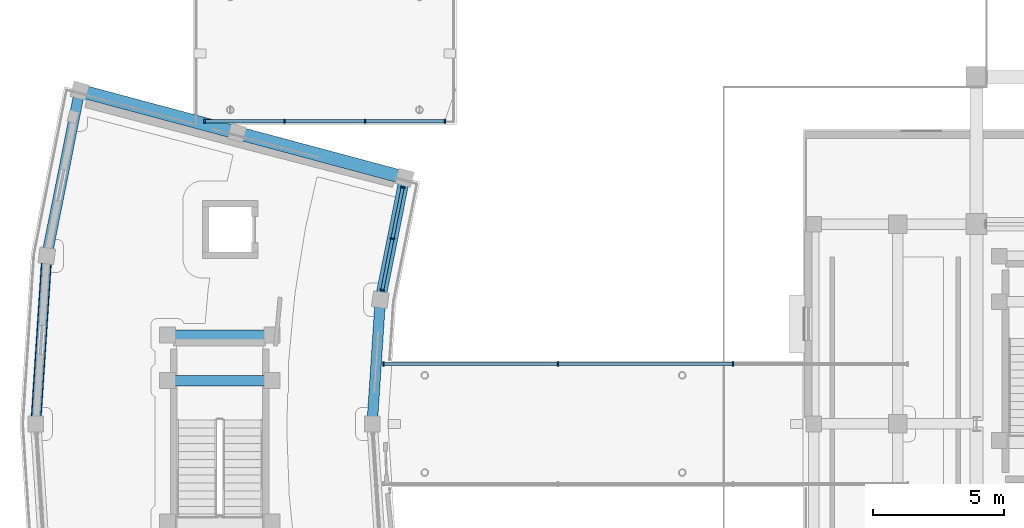
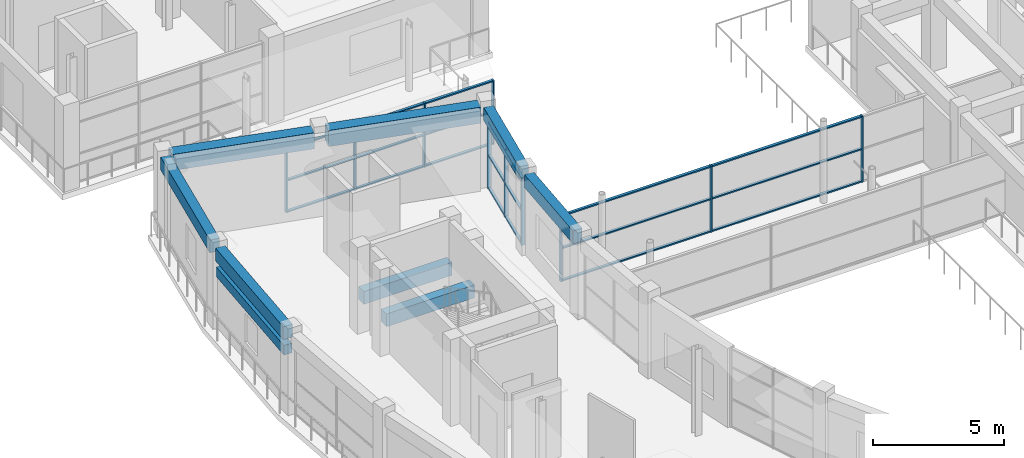
# One storey, part 19 of 72: 31 members, 9 beams, 3 elements without a shape of their own.
"""IFC4 building model written with IfcOpenShell, lengths in metres."""

from ifc_helpers import new_model, si_unit, direction, frame, origin, origin_2d, place, context, subcontext, project, spatial, rectangle, extrude, material, material_profile, profile_set, type_object, element, aggregate, save


model = new_model("IFC4")

# Units and contexts
model_context = context("Model", 3, precision=1e-05, world=origin(), true_north=direction((0.0, 1.0)))
body_context = subcontext(model_context, "Body", "Model", "MODEL_VIEW")
ifc_project = project(units=[si_unit("LENGTHUNIT", "METRE"), si_unit("AREAUNIT", "SQUARE_METRE"), si_unit("VOLUMEUNIT", "CUBIC_METRE"), si_unit("PLANEANGLEUNIT", "RADIAN"), si_unit("MASSUNIT", "GRAM", prefix="KILO")], contexts=[model_context])

# Site, building, storey
site_placement = place(None, origin())
site = spatial("IfcSite", under=ifc_project, at=site_placement, CompositionType="ELEMENT")
building_placement = place(site_placement, origin())
building = spatial("IfcBuilding", under=site, at=building_placement, Name="Saryqyr Civic Hall", CompositionType="ELEMENT")
storey_placement = place(building_placement, frame((0.0, 0.0, 17.25)))
storey = spatial("IfcBuildingStorey", under=building, at=storey_placement, Name="L04", CompositionType="ELEMENT", Elevation=17.25)

# Curtain wall, members
ifc_material_1 = material(Name="Anodised aluminium and triple low-E glass", Category="aluminium")
curtain_wall_type_1 = type_object("IfcCurtainWallType", Name="ENV-CW-STD-13", PredefinedType="NOTDEFINED", material=ifc_material_1)
curtain_wall_1_placement = place(storey_placement, origin())
curtain_wall_1 = element("IfcCurtainWall", 1, at=curtain_wall_1_placement, inside=storey, type_object=curtain_wall_type_1, Name="Curtain wall V4-CWI-L04-00", PredefinedType="NOTDEFINED")
ifc_material_2 = material(Name="Anodised aluminium", Category="aluminium")
ifc_material_profile_1 = material_profile(ifc_material_2, rectangle(XDim=0.06005859375, YDim=0.159912109375, at=origin_2d()), Name="ALU MULLION 60x160")
ifc_profile_set_1 = profile_set([ifc_material_profile_1], Name="Anodised aluminium")
member_type_1 = type_object("IfcMemberType", Name="ENV-CW-MUL-180", PredefinedType="MULLION", material=ifc_profile_set_1)
member_1_placement = place(storey_placement, frame((21.9599609375, 92.999755859375, 0.0), z_axis=(0.0, 0.0, 1.0), x_axis=(-0.195107360697, -0.980781891045, 0.0)))
member_1 = element("IfcMember", 2, at=member_1_placement, type_object=member_type_1, Name="CW-13 mullion 1", PredefinedType="MULLION", context=body_context, shape_type="SweptSolid", body=[
    extrude(rectangle(XDim=0.06005859375, YDim=0.159912109375, at=origin_2d()), origin(), (0.0, 0.0, 1.0), 3.135009765625),
])
member_2_placement = place(storey_placement, frame((21.571533203125, 91.047119140625, 0.0), z_axis=(0.0, 0.0, 1.0), x_axis=(-0.195107360697, -0.980781891045, 0.0)))
member_2 = element("IfcMember", 3, at=member_2_placement, type_object=member_type_1, Name="CW-13 mullion 2", PredefinedType="MULLION", context=body_context, shape_type="SweptSolid", body=[
    extrude(rectangle(XDim=0.06005859375, YDim=0.159912109375, at=origin_2d()), origin(), (0.0, 0.0, 1.0), 3.135009765625),
])
member_3_placement = place(storey_placement, frame((21.18310546875, 89.094482421875, 0.0), z_axis=(0.0, 0.0, 1.0), x_axis=(-0.195107360697, -0.980781891045, 0.0)))
member_3 = element("IfcMember", 4, at=member_3_placement, type_object=member_type_1, Name="CW-13 mullion 3", PredefinedType="MULLION", context=body_context, shape_type="SweptSolid", body=[
    extrude(rectangle(XDim=0.06005859375, YDim=0.159912109375, at=origin_2d()), origin(), (0.0, 0.0, 1.0), 3.135009765625),
])

curtain_wall_type_2 = type_object("IfcCurtainWallType", Name="ENV-CW-STD-84", PredefinedType="NOTDEFINED", material=ifc_material_1)
curtain_wall_2_placement = place(storey_placement, origin())
curtain_wall_2 = element("IfcCurtainWall", 5, at=curtain_wall_2_placement, inside=storey, type_object=curtain_wall_type_2, Name="Curtain wall BR-NW-CW1-L04", PredefinedType="NOTDEFINED")
member_4_placement = place(storey_placement, frame((23.570068359375, 95.52001953125, 0.0), z_axis=(0.0, 0.0, 1.0), x_axis=(-1.0, 0.0, 0.0)))
member_4 = element("IfcMember", 6, at=member_4_placement, type_object=member_type_1, Name="CW-84 mullion 1", PredefinedType="MULLION", context=body_context, shape_type="SweptSolid", body=[
    extrude(rectangle(XDim=0.06005859375, YDim=0.159912109375, at=origin_2d()), origin(), (0.0, 0.0, 1.0), 2.985107421875),
])
member_5_placement = place(storey_placement, frame((20.533447265625, 95.52001953125, 0.0), z_axis=(0.0, 0.0, 1.0), x_axis=(-1.0, 0.0, 0.0)))
member_5 = element("IfcMember", 7, at=member_5_placement, type_object=member_type_1, Name="CW-84 mullion 2", PredefinedType="MULLION", context=body_context, shape_type="SweptSolid", body=[
    extrude(rectangle(XDim=0.06005859375, YDim=0.159912109375, at=origin_2d()), origin(), (0.0, 0.0, 1.0), 2.985107421875),
])
member_6_placement = place(storey_placement, frame((17.466552734375, 95.52001953125, 0.0), z_axis=(0.0, 0.0, 1.0), x_axis=(-1.0, 0.0, 0.0)))
member_6 = element("IfcMember", 8, at=member_6_placement, type_object=member_type_1, Name="CW-84 mullion 3", PredefinedType="MULLION", context=body_context, shape_type="SweptSolid", body=[
    extrude(rectangle(XDim=0.06005859375, YDim=0.159912109375, at=origin_2d()), origin(), (0.0, 0.0, 1.0), 2.985107421875),
])
member_7_placement = place(storey_placement, frame((14.429931640625, 95.52001953125, 0.0), z_axis=(0.0, 0.0, 1.0), x_axis=(-1.0, 0.0, 0.0)))
member_7 = element("IfcMember", 9, at=member_7_placement, type_object=member_type_1, Name="CW-84 mullion 4", PredefinedType="MULLION", context=body_context, shape_type="SweptSolid", body=[
    extrude(rectangle(XDim=0.06005859375, YDim=0.159912109375, at=origin_2d()), origin(), (0.0, 0.0, 1.0), 2.985107421875),
])

curtain_wall_type_3 = type_object("IfcCurtainWallType", Name="ENV-CW-STD-86", PredefinedType="NOTDEFINED", material=ifc_material_1)
curtain_wall_3_placement = place(storey_placement, origin())
curtain_wall_3 = element("IfcCurtainWall", 10, at=curtain_wall_3_placement, inside=storey, type_object=curtain_wall_type_3, Name="Curtain wall BR-CW-CW2-L04", PredefinedType="NOTDEFINED")
member_8_placement = place(storey_placement, frame((21.22998046875, 86.280029296875, 0.0), z_axis=(0.0, 0.0, 1.0), x_axis=(1.0, 0.0, 0.0)))
member_8 = element("IfcMember", 11, at=member_8_placement, type_object=member_type_1, Name="CW-86 mullion 1", PredefinedType="MULLION", context=body_context, shape_type="SweptSolid", body=[
    extrude(rectangle(XDim=0.06005859375, YDim=0.159912109375, at=origin_2d()), origin(), (0.0, 0.0, 1.0), 3.0849609375),
])
member_9_placement = place(storey_placement, frame((27.86669921875, 86.280029296875, 0.0), z_axis=(0.0, 0.0, 1.0), x_axis=(1.0, 0.0, 0.0)))
member_9 = element("IfcMember", 12, at=member_9_placement, type_object=member_type_1, Name="CW-86 mullion 2", PredefinedType="MULLION", context=body_context, shape_type="SweptSolid", body=[
    extrude(rectangle(XDim=0.06005859375, YDim=0.159912109375, at=origin_2d()), origin(), (0.0, 0.0, 1.0), 3.0849609375),
])
member_10_placement = place(storey_placement, frame((34.533447265625, 86.280029296875, 0.0), z_axis=(0.0, 0.0, 1.0), x_axis=(1.0, 0.0, 0.0)))
member_10 = element("IfcMember", 13, at=member_10_placement, type_object=member_type_1, Name="CW-86 mullion 3", PredefinedType="MULLION", context=body_context, shape_type="SweptSolid", body=[
    extrude(rectangle(XDim=0.06005859375, YDim=0.159912109375, at=origin_2d()), origin(), (0.0, 0.0, 1.0), 3.0849609375),
])

# Member
ifc_material_profile_2 = material_profile(ifc_material_2, rectangle(XDim=0.1201171875, YDim=0.06005859375, at=origin_2d()), Name="ALU TRANSOM 120x60")
ifc_profile_set_2 = profile_set([ifc_material_profile_2], Name="Anodised aluminium")
member_type_2 = type_object("IfcMemberType", Name="ENV-CW-TRN-150", PredefinedType="USERDEFINED", material=ifc_profile_set_2)
member_11_placement = place(storey_placement, frame((21.9541015625, 92.970458984375, 0.030029296875), z_axis=(-0.195070603182, -0.980789202517, 0.0), x_axis=(0.980789202517, -0.195070603182, 0.0)))
member_11 = element("IfcMember", 14, at=member_11_placement, type_object=member_type_2, Name="CW-13 transom 1.1", ObjectType="TRANSOM", PredefinedType="USERDEFINED", context=body_context, shape_type="SweptSolid", body=[
    extrude(rectangle(XDim=0.1201171875, YDim=0.06005859375, at=origin_2d()), origin(), (0.0, 0.0, 1.0), 1.93115234375),
])

member_12_placement = place(storey_placement, frame((21.9541015625, 92.970458984375, 1.56689453125), z_axis=(-0.195070603182, -0.980789202517, 0.0), x_axis=(0.980789202517, -0.195070603182, 0.0)))
member_12 = element("IfcMember", 15, at=member_12_placement, type_object=member_type_2, Name="CW-13 transom 1.2", ObjectType="TRANSOM", PredefinedType="USERDEFINED", context=body_context, shape_type="SweptSolid", body=[
    extrude(rectangle(XDim=0.1201171875, YDim=0.06005859375, at=origin_2d()), origin(), (0.0, 0.0, 1.0), 1.93115234375),
])

member_13_placement = place(storey_placement, frame((21.9541015625, 92.970458984375, 3.10498046875), z_axis=(-0.195070603182, -0.980789202517, 0.0), x_axis=(0.980789202517, -0.195070603182, 0.0)))
member_13 = element("IfcMember", 16, at=member_13_placement, type_object=member_type_2, Name="CW-13 transom 1.3", ObjectType="TRANSOM", PredefinedType="USERDEFINED", context=body_context, shape_type="SweptSolid", body=[
    extrude(rectangle(XDim=0.1201171875, YDim=0.06005859375, at=origin_2d()), origin(), (0.0, 0.0, 1.0), 1.93115234375),
])

member_14_placement = place(storey_placement, frame((21.565673828125, 91.017578125, 0.030029296875), z_axis=(-0.195094793757, -0.980784390908, 0.0), x_axis=(0.980784390908, -0.195094793757, 0.0)))
member_14 = element("IfcMember", 17, at=member_14_placement, type_object=member_type_2, Name="CW-13 transom 2.1", ObjectType="TRANSOM", PredefinedType="USERDEFINED", context=body_context, shape_type="SweptSolid", body=[
    extrude(rectangle(XDim=0.1201171875, YDim=0.06005859375, at=origin_2d()), origin(), (0.0, 0.0, 1.0), 1.930908203125),
])

member_15_placement = place(storey_placement, frame((21.565673828125, 91.017578125, 1.56689453125), z_axis=(-0.195094793757, -0.980784390908, 0.0), x_axis=(0.980784390908, -0.195094793757, 0.0)))
member_15 = element("IfcMember", 18, at=member_15_placement, type_object=member_type_2, Name="CW-13 transom 2.2", ObjectType="TRANSOM", PredefinedType="USERDEFINED", context=body_context, shape_type="SweptSolid", body=[
    extrude(rectangle(XDim=0.1201171875, YDim=0.06005859375, at=origin_2d()), origin(), (0.0, 0.0, 1.0), 1.930908203125),
])

member_16_placement = place(storey_placement, frame((21.565673828125, 91.017578125, 3.10498046875), z_axis=(-0.195094793757, -0.980784390908, 0.0), x_axis=(0.980784390908, -0.195094793757, 0.0)))
member_16 = element("IfcMember", 19, at=member_16_placement, type_object=member_type_2, Name="CW-13 transom 2.3", ObjectType="TRANSOM", PredefinedType="USERDEFINED", context=body_context, shape_type="SweptSolid", body=[
    extrude(rectangle(XDim=0.1201171875, YDim=0.06005859375, at=origin_2d()), origin(), (0.0, 0.0, 1.0), 1.930908203125),
])

aggregate(curtain_wall_1, [member_1, member_2, member_3, member_11, member_12, member_13, member_14, member_15, member_16])

member_17_placement = place(storey_placement, frame((23.5400390625, 95.52001953125, 0.030029296875), z_axis=(-1.0, 0.0, 0.0), x_axis=(0.0, -1.0, 0.0)))
member_17 = element("IfcMember", 20, at=member_17_placement, type_object=member_type_2, Name="CW-84 transom 1.1", ObjectType="TRANSOM", PredefinedType="USERDEFINED", context=body_context, shape_type="SweptSolid", body=[
    extrude(rectangle(XDim=0.1201171875, YDim=0.06005859375, at=origin_2d()), origin(), (0.0, 0.0, 1.0), 2.976806640625),
])

member_18_placement = place(storey_placement, frame((23.5400390625, 95.52001953125, 1.491943359375), z_axis=(-1.0, 0.0, 0.0), x_axis=(0.0, -1.0, 0.0)))
member_18 = element("IfcMember", 21, at=member_18_placement, type_object=member_type_2, Name="CW-84 transom 1.2", ObjectType="TRANSOM", PredefinedType="USERDEFINED", context=body_context, shape_type="SweptSolid", body=[
    extrude(rectangle(XDim=0.1201171875, YDim=0.06005859375, at=origin_2d()), origin(), (0.0, 0.0, 1.0), 2.976806640625),
])

member_19_placement = place(storey_placement, frame((23.5400390625, 95.52001953125, 2.955078125), z_axis=(-1.0, 0.0, 0.0), x_axis=(0.0, -1.0, 0.0)))
member_19 = element("IfcMember", 22, at=member_19_placement, type_object=member_type_2, Name="CW-84 transom 1.3", ObjectType="TRANSOM", PredefinedType="USERDEFINED", context=body_context, shape_type="SweptSolid", body=[
    extrude(rectangle(XDim=0.1201171875, YDim=0.06005859375, at=origin_2d()), origin(), (0.0, 0.0, 1.0), 2.976806640625),
])

member_20_placement = place(storey_placement, frame((20.50341796875, 95.52001953125, 0.030029296875), z_axis=(-1.0, 0.0, 0.0), x_axis=(0.0, -1.0, 0.0)))
member_20 = element("IfcMember", 23, at=member_20_placement, type_object=member_type_2, Name="CW-84 transom 2.1", ObjectType="TRANSOM", PredefinedType="USERDEFINED", context=body_context, shape_type="SweptSolid", body=[
    extrude(rectangle(XDim=0.1201171875, YDim=0.06005859375, at=origin_2d()), origin(), (0.0, 0.0, 1.0), 3.0068359375),
])

member_21_placement = place(storey_placement, frame((20.50341796875, 95.52001953125, 1.491943359375), z_axis=(-1.0, 0.0, 0.0), x_axis=(0.0, -1.0, 0.0)))
member_21 = element("IfcMember", 24, at=member_21_placement, type_object=member_type_2, Name="CW-84 transom 2.2", ObjectType="TRANSOM", PredefinedType="USERDEFINED", context=body_context, shape_type="SweptSolid", body=[
    extrude(rectangle(XDim=0.1201171875, YDim=0.06005859375, at=origin_2d()), origin(), (0.0, 0.0, 1.0), 3.0068359375),
])

member_22_placement = place(storey_placement, frame((20.50341796875, 95.52001953125, 2.955078125), z_axis=(-1.0, 0.0, 0.0), x_axis=(0.0, -1.0, 0.0)))
member_22 = element("IfcMember", 25, at=member_22_placement, type_object=member_type_2, Name="CW-84 transom 2.3", ObjectType="TRANSOM", PredefinedType="USERDEFINED", context=body_context, shape_type="SweptSolid", body=[
    extrude(rectangle(XDim=0.1201171875, YDim=0.06005859375, at=origin_2d()), origin(), (0.0, 0.0, 1.0), 3.0068359375),
])

member_23_placement = place(storey_placement, frame((17.436767578125, 95.52001953125, 0.030029296875), z_axis=(-1.0, 0.0, 0.0), x_axis=(0.0, -1.0, 0.0)))
member_23 = element("IfcMember", 26, at=member_23_placement, type_object=member_type_2, Name="CW-84 transom 3.1", ObjectType="TRANSOM", PredefinedType="USERDEFINED", context=body_context, shape_type="SweptSolid", body=[
    extrude(rectangle(XDim=0.1201171875, YDim=0.06005859375, at=origin_2d()), origin(), (0.0, 0.0, 1.0), 2.976806640625),
])

member_24_placement = place(storey_placement, frame((17.436767578125, 95.52001953125, 1.491943359375), z_axis=(-1.0, 0.0, 0.0), x_axis=(0.0, -1.0, 0.0)))
member_24 = element("IfcMember", 27, at=member_24_placement, type_object=member_type_2, Name="CW-84 transom 3.2", ObjectType="TRANSOM", PredefinedType="USERDEFINED", context=body_context, shape_type="SweptSolid", body=[
    extrude(rectangle(XDim=0.1201171875, YDim=0.06005859375, at=origin_2d()), origin(), (0.0, 0.0, 1.0), 2.976806640625),
])

member_25_placement = place(storey_placement, frame((17.436767578125, 95.52001953125, 2.955078125), z_axis=(-1.0, 0.0, 0.0), x_axis=(0.0, -1.0, 0.0)))
member_25 = element("IfcMember", 28, at=member_25_placement, type_object=member_type_2, Name="CW-84 transom 3.3", ObjectType="TRANSOM", PredefinedType="USERDEFINED", context=body_context, shape_type="SweptSolid", body=[
    extrude(rectangle(XDim=0.1201171875, YDim=0.06005859375, at=origin_2d()), origin(), (0.0, 0.0, 1.0), 2.976806640625),
])

aggregate(curtain_wall_2, [member_4, member_5, member_6, member_7, member_17, member_18, member_19, member_20, member_21, member_22, member_23, member_24, member_25])

member_26_placement = place(storey_placement, frame((21.260009765625, 86.280029296875, 0.030029296875), z_axis=(1.0, 0.0, 0.0), x_axis=(0.0, 1.0, 0.0)))
member_26 = element("IfcMember", 29, at=member_26_placement, type_object=member_type_2, Name="CW-86 transom 1.1", ObjectType="TRANSOM", PredefinedType="USERDEFINED", context=body_context, shape_type="SweptSolid", body=[
    extrude(rectangle(XDim=0.1201171875, YDim=0.06005859375, at=origin_2d()), origin(), (0.0, 0.0, 1.0), 6.57666015625),
])

member_27_placement = place(storey_placement, frame((21.260009765625, 86.280029296875, 1.54296875), z_axis=(1.0, 0.0, 0.0), x_axis=(0.0, 1.0, 0.0)))
member_27 = element("IfcMember", 30, at=member_27_placement, type_object=member_type_2, Name="CW-86 transom 1.2", ObjectType="TRANSOM", PredefinedType="USERDEFINED", context=body_context, shape_type="SweptSolid", body=[
    extrude(rectangle(XDim=0.1201171875, YDim=0.06005859375, at=origin_2d()), origin(), (0.0, 0.0, 1.0), 6.57666015625),
])

member_28_placement = place(storey_placement, frame((21.260009765625, 86.280029296875, 3.054931640625), z_axis=(1.0, 0.0, 0.0), x_axis=(0.0, 1.0, 0.0)))
member_28 = element("IfcMember", 31, at=member_28_placement, type_object=member_type_2, Name="CW-86 transom 1.3", ObjectType="TRANSOM", PredefinedType="USERDEFINED", context=body_context, shape_type="SweptSolid", body=[
    extrude(rectangle(XDim=0.1201171875, YDim=0.06005859375, at=origin_2d()), origin(), (0.0, 0.0, 1.0), 6.57666015625),
])

member_29_placement = place(storey_placement, frame((27.896728515625, 86.280029296875, 0.030029296875), z_axis=(1.0, 0.0, 0.0), x_axis=(0.0, 1.0, 0.0)))
member_29 = element("IfcMember", 32, at=member_29_placement, type_object=member_type_2, Name="CW-86 transom 2.1", ObjectType="TRANSOM", PredefinedType="USERDEFINED", context=body_context, shape_type="SweptSolid", body=[
    extrude(rectangle(XDim=0.1201171875, YDim=0.06005859375, at=origin_2d()), origin(), (0.0, 0.0, 1.0), 6.606689453125),
])

member_30_placement = place(storey_placement, frame((27.896728515625, 86.280029296875, 1.54296875), z_axis=(1.0, 0.0, 0.0), x_axis=(0.0, 1.0, 0.0)))
member_30 = element("IfcMember", 33, at=member_30_placement, type_object=member_type_2, Name="CW-86 transom 2.2", ObjectType="TRANSOM", PredefinedType="USERDEFINED", context=body_context, shape_type="SweptSolid", body=[
    extrude(rectangle(XDim=0.1201171875, YDim=0.06005859375, at=origin_2d()), origin(), (0.0, 0.0, 1.0), 6.606689453125),
])

member_31_placement = place(storey_placement, frame((27.896728515625, 86.280029296875, 3.054931640625), z_axis=(1.0, 0.0, 0.0), x_axis=(0.0, 1.0, 0.0)))
member_31 = element("IfcMember", 34, at=member_31_placement, type_object=member_type_2, Name="CW-86 transom 2.3", ObjectType="TRANSOM", PredefinedType="USERDEFINED", context=body_context, shape_type="SweptSolid", body=[
    extrude(rectangle(XDim=0.1201171875, YDim=0.06005859375, at=origin_2d()), origin(), (0.0, 0.0, 1.0), 6.606689453125),
])

aggregate(curtain_wall_3, [member_8, member_9, member_10, member_26, member_27, member_28, member_29, member_30, member_31])

# Beams
ifc_material_3 = material(Name="Concrete C35/45", Category="concrete")
ifc_material_profile_3 = material_profile(ifc_material_3, rectangle(XDim=0.39990234375, YDim=0.60009765625, at=origin_2d()), Name="RC 400x600")
ifc_profile_set_3 = profile_set([ifc_material_profile_3], Name="Concrete C35/45")
beam_type_1 = type_object("IfcBeamType", Name="STR-BM-RC400x600", PredefinedType="BEAM", material=ifc_profile_set_3)
for number, where, z_axis, x_axis, name in (
    (35, (16.949951171875, 85.64990234375, 1.52490234375), (-1.0, 0.0, 0.0), (0.0, -1.0, 0.0), "Stair half-landing support beam ST-4-LND1-L04"),
    (36, (16.949951171875, 87.3798828125, 1.52490234375), (-1.0, 0.0, 0.0), (0.0, -1.0, 0.0), "Stair half-landing support beam ST-4-LND2-L04"),
):
    element("IfcBeam", number, at=place(storey_placement, frame(where, z_axis=z_axis, x_axis=x_axis)), inside=storey, type_object=beam_type_1, Name=name, PredefinedType="BEAM", context=body_context, shape_type="SweptSolid", body=[
        extrude(rectangle(XDim=0.39990234375, YDim=0.60009765625, at=origin_2d()), origin(), (0.0, 0.0, 1.0), 3.89990234375),
    ])
ifc_material_profile_4 = material_profile(ifc_material_3, rectangle(XDim=0.39990234375, YDim=0.60009765625, at=origin_2d()), Name="RC 400x600")
ifc_profile_set_4 = profile_set([ifc_material_profile_4], Name="Concrete C35/45")
beam_type_2 = type_object("IfcBeamType", Name="STR-BM-RC400x600-EXT", PredefinedType="BEAM", material=ifc_profile_set_4)
beam_1_placement = place(storey_placement, frame((21.979736328125, 93.099609375, 3.4599609375), z_axis=(-0.195061562162, -0.980791000656, 0.0), x_axis=(0.980791000656, -0.195061562162, 0.0)))
element("IfcBeam", 37, at=beam_1_placement, inside=storey, type_object=beam_type_2, Name="Beam V4-CBM-IN00-L04", PredefinedType="BEAM", context=body_context, shape_type="SweptSolid", body=[
    extrude(rectangle(XDim=0.39990234375, YDim=0.60009765625, at=origin_2d()), origin(), (0.0, 0.0, 1.0), 4.185302734375),
])
beam_2_placement = place(storey_placement, frame((9.615966796875, 96.412353515625, 3.4599609375), z_axis=(-0.195082377398, -0.980786860653, 0.0), x_axis=(0.980786860653, -0.195082377398, 0.0)))
element("IfcBeam", 38, at=beam_2_placement, inside=storey, type_object=beam_type_2, Name="Beam V4-CBM-OUT00-L04", PredefinedType="BEAM", context=body_context, shape_type="SweptSolid", body=[
    extrude(rectangle(XDim=0.39990234375, YDim=0.60009765625, at=origin_2d()), origin(), (0.0, 0.0, 1.0), 5.859375),
])
beam_3_placement = place(storey_placement, frame((21.091796875, 88.45068359375, 3.4599609375), z_axis=(-0.065392297948, -0.997859633099, 0.0), x_axis=(0.997859633099, -0.065392297948, 0.0)))
element("IfcBeam", 39, at=beam_3_placement, inside=storey, type_object=beam_type_2, Name="Beam V4-CBM-IN01-L04", PredefinedType="BEAM", context=body_context, shape_type="SweptSolid", body=[
    extrude(rectangle(XDim=0.39990234375, YDim=0.60009765625, at=origin_2d()), origin(), (0.0, 0.0, 1.0), 4.185302734375),
])
beam_4_placement = place(storey_placement, frame((8.401123046875, 90.121337890625, 3.4599609375), z_axis=(-0.06537407149, -0.997860827359, 0.0), x_axis=(0.997860827359, -0.06537407149, 0.0)))
element("IfcBeam", 40, at=beam_4_placement, inside=storey, type_object=beam_type_2, Name="Beam V4-CBM-OUT01-L04", PredefinedType="BEAM", context=body_context, shape_type="SweptSolid", body=[
    extrude(rectangle(XDim=0.39990234375, YDim=0.60009765625, at=origin_2d()), origin(), (0.0, 0.0, 1.0), 5.859375),
])
ifc_material_4 = material(Name="Concrete C40/50", Category="concrete")
ifc_material_profile_5 = material_profile(ifc_material_4, rectangle(XDim=0.5, YDim=0.75, at=origin_2d()), Name="RC 500x750")
ifc_profile_set_5 = profile_set([ifc_material_profile_5], Name="Concrete C40/50")
beam_type_3 = type_object("IfcBeamType", Name="STR-BM-RC500x750", PredefinedType="BEAM", material=ifc_profile_set_5)
beam_5_placement = place(storey_placement, frame((21.767822265625, 93.4404296875, 3.385009765625), z_axis=(-0.965922112277, 0.258832905588, 0.0), x_axis=(-0.258832905588, -0.965922112277, 0.0)))
element("IfcBeam", 41, at=beam_5_placement, inside=storey, type_object=beam_type_3, Name="Beam V4-RBM-A00-L04", PredefinedType="BEAM", context=body_context, shape_type="SweptSolid", body=[
    extrude(rectangle(XDim=0.5, YDim=0.75, at=origin_2d()), origin(), (0.0, 0.0, 1.0), 6.0498046875),
])
beam_6_placement = place(storey_placement, frame((15.392822265625, 95.148681640625, 3.385009765625), z_axis=(-0.965933779291, 0.25878936227, 0.0), x_axis=(-0.25878936227, -0.965933779291, 0.0)))
element("IfcBeam", 42, at=beam_6_placement, inside=storey, type_object=beam_type_3, Name="Beam V4-RBM-B00-L04", PredefinedType="BEAM", context=body_context, shape_type="SweptSolid", body=[
    extrude(rectangle(XDim=0.5, YDim=0.75, at=origin_2d()), origin(), (0.0, 0.0, 1.0), 5.64990234375),
])
ifc_material_5 = material(Name="Precast concrete C40/50", Category="concrete")
ifc_material_profile_6 = material_profile(ifc_material_5, rectangle(XDim=0.35009765625, YDim=0.449951171875, at=origin_2d()), Name="RC 350x450")
ifc_profile_set_6 = profile_set([ifc_material_profile_6], Name="Precast concrete C40/50")
beam_type_4 = type_object("IfcBeamType", Name="STR-LIN-RC350x450", PredefinedType="LINTEL", material=ifc_profile_set_6)
beam_7_placement = place(storey_placement, frame((8.401123046875, 90.121337890625, 2.655029296875), z_axis=(-0.06537407149, -0.997860827359, 0.0), x_axis=(0.997860827359, -0.06537407149, 0.0)))
element("IfcBeam", 43, at=beam_7_placement, inside=storey, type_object=beam_type_4, Name="Beam V4-LIN-01-L04", PredefinedType="LINTEL", context=body_context, shape_type="SweptSolid", body=[
    extrude(rectangle(XDim=0.35009765625, YDim=0.449951171875, at=origin_2d()), origin(), (0.0, 0.0, 1.0), 5.859375),
])

save(model, "model.ifc")
